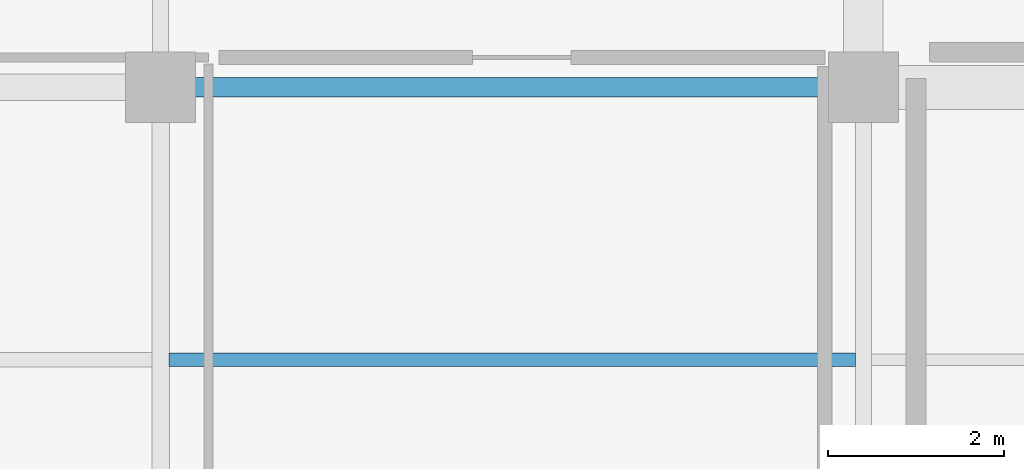
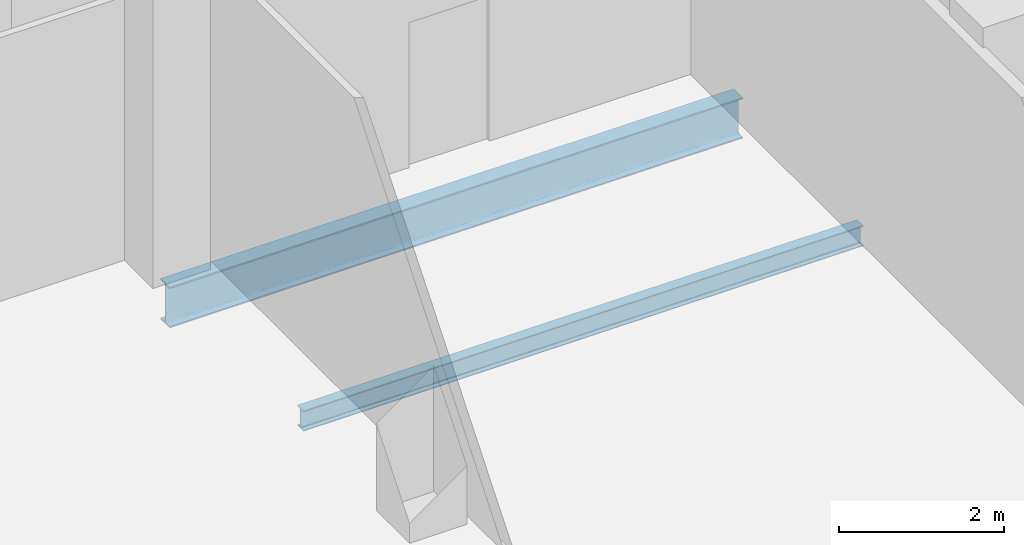
# One storey, part 46 of 189: 2 beams.
"""IFC4 building model written with IfcOpenShell, lengths in metres."""

from ifc_helpers import new_model, si_unit, direction, frame, origin, origin_2d, place, context, subcontext, project, spatial, i_section, extrude, material, material_profile, profile_set, type_object, element, save


model = new_model("IFC4")

# Units and contexts
model_context = context("Model", 3, precision=1e-05, world=origin(), true_north=direction((0.0, 1.0)))
body_context = subcontext(model_context, "Body", "Model", "MODEL_VIEW")
ifc_project = project(units=[si_unit("LENGTHUNIT", "METRE"), si_unit("AREAUNIT", "SQUARE_METRE"), si_unit("VOLUMEUNIT", "CUBIC_METRE"), si_unit("PLANEANGLEUNIT", "RADIAN"), si_unit("MASSUNIT", "GRAM", prefix="KILO")], contexts=[model_context])

# Site, building, storey
site_placement = place(None, origin())
site = spatial("IfcSite", under=ifc_project, at=site_placement, CompositionType="ELEMENT")
building_placement = place(site_placement, origin())
building = spatial("IfcBuilding", under=site, at=building_placement, Name="Qalavern Law Courts", CompositionType="ELEMENT")
storey_placement = place(building_placement, frame((0.0, 0.0, 5.39990234375)))
storey = spatial("IfcBuildingStorey", under=building, at=storey_placement, Name="L01", CompositionType="ELEMENT", Elevation=5.39990234375)

# Beams
ifc_material = material(Name="Steel S355", Category="steel")
ifc_material_profile_1 = material_profile(ifc_material, i_section(OverallWidth=0.219970703125, OverallDepth=0.60009765625, WebThickness=0.011962890625, FlangeThickness=0.01904296875, FilletRadius=0.02392578125, at=origin_2d()), Name="IPE 600")
ifc_profile_set_1 = profile_set([ifc_material_profile_1], Name="Steel S355")
beam_type_1 = type_object("IfcBeamType", Name="STR-BM-IPE600", PredefinedType="BEAM", material=ifc_profile_set_1)
beam_1_placement = place(storey_placement, frame((109.800048828125, 14.800048828125, -0.599853515625), z_axis=(1.0, 0.0, 0.0), x_axis=(0.0, 1.0, 0.0)))
element("IfcBeam", 1, at=beam_1_placement, inside=storey, type_object=beam_type_1, Name="V6 X-beam 3-2 L01", PredefinedType="BEAM", context=body_context, shape_type="SweptSolid", body=[
    extrude(i_section(OverallWidth=0.219970703125, OverallDepth=0.60009765625, WebThickness=0.011962890625, FlangeThickness=0.01904296875, FilletRadius=0.02392578125, at=origin_2d()), origin(), (0.0, 0.0, 1.0), 8.0),
])
ifc_material_profile_2 = material_profile(ifc_material, i_section(OverallWidth=0.14990234375, OverallDepth=0.300048828125, WebThickness=0.007080078125, FlangeThickness=0.0107421875, FilletRadius=0.014892578125, at=origin_2d()), Name="IPE 300")
ifc_profile_set_2 = profile_set([ifc_material_profile_2], Name="Steel S355")
beam_type_2 = type_object("IfcBeamType", Name="STR-JST-IPE300", PredefinedType="JOIST", material=ifc_profile_set_2)
beam_2_placement = place(storey_placement, frame((109.89794921875, 11.699951171875, -0.449951171875), z_axis=(1.0, 0.0, 0.0), x_axis=(0.0, 1.0, 0.0)))
element("IfcBeam", 2, at=beam_2_placement, inside=storey, type_object=beam_type_2, Name="V6 secondary joist 2.2.1 L01", PredefinedType="JOIST", context=body_context, shape_type="SweptSolid", body=[
    extrude(i_section(OverallWidth=0.14990234375, OverallDepth=0.300048828125, WebThickness=0.007080078125, FlangeThickness=0.0107421875, FilletRadius=0.014892578125, at=origin_2d()), origin(), (0.0, 0.0, 1.0), 7.81396484375),
])

save(model, "model.ifc")
